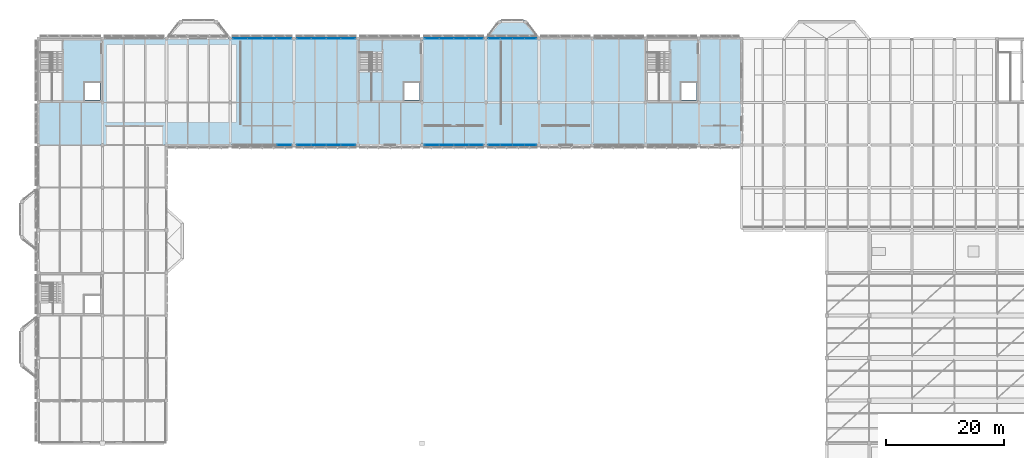
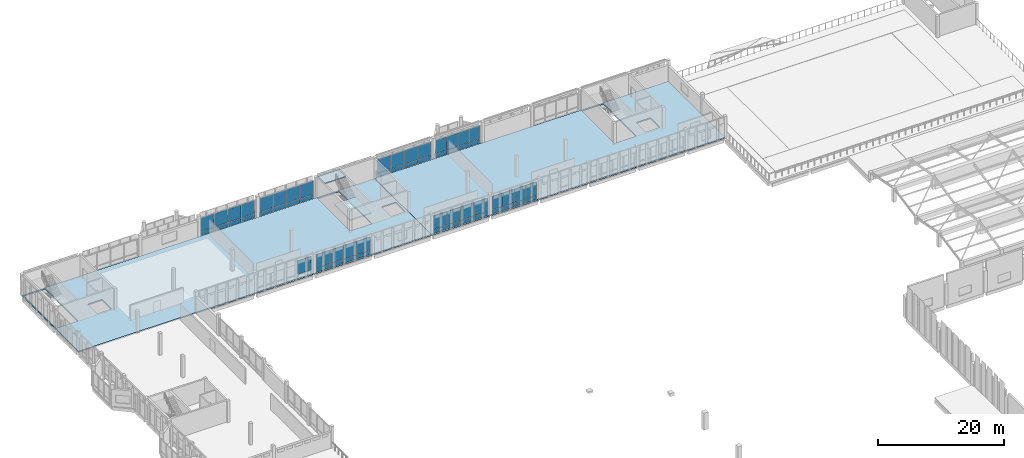
# One storey, part 51 of 72: 57 plates, 5 slabs, 9 elements without a shape of their own.
"""IFC4 building model written with IfcOpenShell, lengths in metres."""

from ifc_helpers import new_model, si_unit, direction, frame, origin, origin_2d, place, context, subcontext, project, spatial, polyline, rectangle, outline, extrude, material, layer, layer_set, type_object, element, aggregate, save


model = new_model("IFC4")

# Units and contexts
model_context = context("Model", 3, precision=1e-05, world=origin(), true_north=direction((0.0, 1.0)))
body_context = subcontext(model_context, "Body", "Model", "MODEL_VIEW")
ifc_project = project(units=[si_unit("LENGTHUNIT", "METRE"), si_unit("AREAUNIT", "SQUARE_METRE"), si_unit("VOLUMEUNIT", "CUBIC_METRE"), si_unit("PLANEANGLEUNIT", "RADIAN"), si_unit("MASSUNIT", "GRAM", prefix="KILO")], contexts=[model_context])

# Site, building, storey
site_placement = place(None, origin())
site = spatial("IfcSite", under=ifc_project, at=site_placement, CompositionType="ELEMENT")
building_placement = place(site_placement, origin())
building = spatial("IfcBuilding", under=site, at=building_placement, Name="Lusvemor Sports Hall", CompositionType="ELEMENT")
storey_placement = place(building_placement, frame((0.0, 0.0, 15.0)))
storey = spatial("IfcBuildingStorey", under=building, at=storey_placement, Name="L03", CompositionType="ELEMENT", Elevation=15.0)

# Curtain wall, plates
ifc_material_1 = material(Name="Thermally broken bronze-anodized aluminium", Category="aluminium")
curtain_wall_type = type_object("IfcCurtainWallType", Name="CW_WING_B", PredefinedType="NOTDEFINED", material=ifc_material_1)
curtain_wall_1_placement = place(storey_placement, origin())
curtain_wall_1 = element("IfcCurtainWall", 1, at=curtain_wall_1_placement, inside=storey, type_object=curtain_wall_type, Name="Curtain Wall CW-L03-N-1-3", PredefinedType="NOTDEFINED")
ifc_material_2 = material(Name="Solar-control laminated double glazing", Category="glass")
ifc_layer_1 = layer(ifc_material_2, 0.028076171875)
ifc_layer_set_1 = layer_set([ifc_layer_1], Name="Solar-control laminated double glazing")
plate_type_1 = type_object("IfcPlateType", Name="CW_PAN_GLZ_28", PredefinedType="CURTAIN_PANEL", material=ifc_layer_set_1)
plate_1_placement = place(storey_placement, frame((34.081298828125, 115.199951171875, 0.8798828125), z_axis=(0.0, 0.0, 1.0), x_axis=(1.0, 0.0, 0.0)))
plate_1 = element("IfcPlate", 2, at=plate_1_placement, type_object=plate_type_1, Name="CW02 panel 1.2", PredefinedType="CURTAIN_PANEL", context=body_context, shape_type="SweptSolid", body=[
    extrude(rectangle(XDim=2.392578125, YDim=0.028076171875, at=origin_2d()), origin(), (0.0, 0.0, 1.0), 2.580078125),
])
plate_2_placement = place(storey_placement, frame((36.554931640625, 115.199951171875, 0.8798828125), z_axis=(0.0, 0.0, 1.0), x_axis=(1.0, 0.0, 0.0)))
plate_2 = element("IfcPlate", 3, at=plate_2_placement, type_object=plate_type_1, Name="CW02 panel 2.2", PredefinedType="CURTAIN_PANEL", context=body_context, shape_type="SweptSolid", body=[
    extrude(rectangle(XDim=2.425048828125, YDim=0.028076171875, at=origin_2d()), origin(), (0.0, 0.0, 1.0), 2.580078125),
])
plate_3_placement = place(storey_placement, frame((39.044921875, 115.199951171875, 0.8798828125), z_axis=(0.0, 0.0, 1.0), x_axis=(1.0, 0.0, 0.0)))
plate_3 = element("IfcPlate", 4, at=plate_3_placement, type_object=plate_type_1, Name="CW02 panel 3.2", PredefinedType="CURTAIN_PANEL", context=body_context, shape_type="SweptSolid", body=[
    extrude(rectangle(XDim=2.425048828125, YDim=0.028076171875, at=origin_2d()), origin(), (0.0, 0.0, 1.0), 2.580078125),
])
plate_4_placement = place(storey_placement, frame((41.518798828125, 115.199951171875, 0.8798828125), z_axis=(0.0, 0.0, 1.0), x_axis=(1.0, 0.0, 0.0)))
plate_4 = element("IfcPlate", 5, at=plate_4_placement, type_object=plate_type_1, Name="CW02 panel 4.2", PredefinedType="CURTAIN_PANEL", context=body_context, shape_type="SweptSolid", body=[
    extrude(rectangle(XDim=2.392578125, YDim=0.028076171875, at=origin_2d()), origin(), (0.0, 0.0, 1.0), 2.580078125),
])

curtain_wall_2_placement = place(storey_placement, origin())
curtain_wall_2 = element("IfcCurtainWall", 6, at=curtain_wall_2_placement, inside=storey, type_object=curtain_wall_type, Name="Curtain Wall CW-L03-N-1-4", PredefinedType="NOTDEFINED")
plate_5_placement = place(storey_placement, frame((44.88134765625, 115.199951171875, 0.8798828125), z_axis=(0.0, 0.0, 1.0), x_axis=(1.0, 0.0, 0.0)))
plate_5 = element("IfcPlate", 7, at=plate_5_placement, type_object=plate_type_1, Name="CW02 panel 1.2", PredefinedType="CURTAIN_PANEL", context=body_context, shape_type="SweptSolid", body=[
    extrude(rectangle(XDim=2.392578125, YDim=0.028076171875, at=origin_2d()), origin(), (0.0, 0.0, 1.0), 2.580078125),
])
plate_6_placement = place(storey_placement, frame((47.35498046875, 115.199951171875, 0.8798828125), z_axis=(0.0, 0.0, 1.0), x_axis=(1.0, 0.0, 0.0)))
plate_6 = element("IfcPlate", 8, at=plate_6_placement, type_object=plate_type_1, Name="CW02 panel 2.2", PredefinedType="CURTAIN_PANEL", context=body_context, shape_type="SweptSolid", body=[
    extrude(rectangle(XDim=2.425048828125, YDim=0.028076171875, at=origin_2d()), origin(), (0.0, 0.0, 1.0), 2.580078125),
])
plate_7_placement = place(storey_placement, frame((49.844970703125, 115.199951171875, 0.8798828125), z_axis=(0.0, 0.0, 1.0), x_axis=(1.0, 0.0, 0.0)))
plate_7 = element("IfcPlate", 9, at=plate_7_placement, type_object=plate_type_1, Name="CW02 panel 3.2", PredefinedType="CURTAIN_PANEL", context=body_context, shape_type="SweptSolid", body=[
    extrude(rectangle(XDim=2.425048828125, YDim=0.028076171875, at=origin_2d()), origin(), (0.0, 0.0, 1.0), 2.580078125),
])
plate_8_placement = place(storey_placement, frame((52.31884765625, 115.199951171875, 0.8798828125), z_axis=(0.0, 0.0, 1.0), x_axis=(1.0, 0.0, 0.0)))
plate_8 = element("IfcPlate", 10, at=plate_8_placement, type_object=plate_type_1, Name="CW02 panel 4.2", PredefinedType="CURTAIN_PANEL", context=body_context, shape_type="SweptSolid", body=[
    extrude(rectangle(XDim=2.392578125, YDim=0.028076171875, at=origin_2d()), origin(), (0.0, 0.0, 1.0), 2.580078125),
])

curtain_wall_3_placement = place(storey_placement, origin())
curtain_wall_3 = element("IfcCurtainWall", 11, at=curtain_wall_3_placement, inside=storey, type_object=curtain_wall_type, Name="Curtain Wall CW-L03-N-1-6", PredefinedType="NOTDEFINED")
plate_9_placement = place(storey_placement, frame((66.481201171875, 115.199951171875, 0.8798828125), z_axis=(0.0, 0.0, 1.0), x_axis=(1.0, 0.0, 0.0)))
plate_9 = element("IfcPlate", 12, at=plate_9_placement, type_object=plate_type_1, Name="CW02 panel 1.2", PredefinedType="CURTAIN_PANEL", context=body_context, shape_type="SweptSolid", body=[
    extrude(rectangle(XDim=2.392578125, YDim=0.028076171875, at=origin_2d()), origin(), (0.0, 0.0, 1.0), 2.580078125),
])
plate_10_placement = place(storey_placement, frame((68.955078125, 115.199951171875, 0.8798828125), z_axis=(0.0, 0.0, 1.0), x_axis=(1.0, 0.0, 0.0)))
plate_10 = element("IfcPlate", 13, at=plate_10_placement, type_object=plate_type_1, Name="CW02 panel 2.2", PredefinedType="CURTAIN_PANEL", context=body_context, shape_type="SweptSolid", body=[
    extrude(rectangle(XDim=2.425048828125, YDim=0.028076171875, at=origin_2d()), origin(), (0.0, 0.0, 1.0), 2.580078125),
])
plate_11_placement = place(storey_placement, frame((71.445068359375, 115.199951171875, 0.8798828125), z_axis=(0.0, 0.0, 1.0), x_axis=(1.0, 0.0, 0.0)))
plate_11 = element("IfcPlate", 14, at=plate_11_placement, type_object=plate_type_1, Name="CW02 panel 3.2", PredefinedType="CURTAIN_PANEL", context=body_context, shape_type="SweptSolid", body=[
    extrude(rectangle(XDim=2.425048828125, YDim=0.028076171875, at=origin_2d()), origin(), (0.0, 0.0, 1.0), 2.580078125),
])
plate_12_placement = place(storey_placement, frame((73.918701171875, 115.199951171875, 0.8798828125), z_axis=(0.0, 0.0, 1.0), x_axis=(1.0, 0.0, 0.0)))
plate_12 = element("IfcPlate", 15, at=plate_12_placement, type_object=plate_type_1, Name="CW02 panel 4.2", PredefinedType="CURTAIN_PANEL", context=body_context, shape_type="SweptSolid", body=[
    extrude(rectangle(XDim=2.392578125, YDim=0.028076171875, at=origin_2d()), origin(), (0.0, 0.0, 1.0), 2.580078125),
])

curtain_wall_4_placement = place(storey_placement, origin())
curtain_wall_4 = element("IfcCurtainWall", 16, at=curtain_wall_4_placement, inside=storey, type_object=curtain_wall_type, Name="Curtain Wall CW-L03-N-1-7", PredefinedType="NOTDEFINED")
plate_13_placement = place(storey_placement, frame((77.05615234375, 115.199951171875, 0.8798828125), z_axis=(0.0, 0.0, 1.0), x_axis=(1.0, 0.0, 0.0)))
plate_13 = element("IfcPlate", 17, at=plate_13_placement, type_object=plate_type_1, Name="CW02 panel 1.2", PredefinedType="CURTAIN_PANEL", context=body_context, shape_type="SweptSolid", body=[
    extrude(rectangle(XDim=1.9423828125, YDim=0.028076171875, at=origin_2d()), origin(), (0.0, 0.0, 1.0), 2.580078125),
])
plate_14_placement = place(storey_placement, frame((79.080078125, 115.199951171875, 0.8798828125), z_axis=(0.0, 0.0, 1.0), x_axis=(1.0, 0.0, 0.0)))
plate_14 = element("IfcPlate", 18, at=plate_14_placement, type_object=plate_type_1, Name="CW02 panel 2.2", PredefinedType="CURTAIN_PANEL", context=body_context, shape_type="SweptSolid", body=[
    extrude(rectangle(XDim=1.97509765625, YDim=0.028076171875, at=origin_2d()), origin(), (0.0, 0.0, 1.0), 2.580078125),
])
plate_15_placement = place(storey_placement, frame((81.1201171875, 115.199951171875, 0.8798828125), z_axis=(0.0, 0.0, 1.0), x_axis=(1.0, 0.0, 0.0)))
plate_15 = element("IfcPlate", 19, at=plate_15_placement, type_object=plate_type_1, Name="CW02 panel 3.2", PredefinedType="CURTAIN_PANEL", context=body_context, shape_type="SweptSolid", body=[
    extrude(rectangle(XDim=1.97509765625, YDim=0.028076171875, at=origin_2d()), origin(), (0.0, 0.0, 1.0), 2.580078125),
])
plate_16_placement = place(storey_placement, frame((83.143798828125, 115.199951171875, 0.8798828125), z_axis=(0.0, 0.0, 1.0), x_axis=(1.0, 0.0, 0.0)))
plate_16 = element("IfcPlate", 20, at=plate_16_placement, type_object=plate_type_1, Name="CW02 panel 4.2", PredefinedType="CURTAIN_PANEL", context=body_context, shape_type="SweptSolid", body=[
    extrude(rectangle(XDim=1.9423828125, YDim=0.028076171875, at=origin_2d()), origin(), (0.0, 0.0, 1.0), 2.580078125),
])

# Curtain wall, plate
curtain_wall_5_placement = place(storey_placement, origin())
curtain_wall_5 = element("IfcCurtainWall", 21, at=curtain_wall_5_placement, inside=storey, type_object=curtain_wall_type, Name="Curtain Wall CW-L03-S-3-1", PredefinedType="NOTDEFINED")
plate_17_placement = place(storey_placement, frame((41.518798828125, 97.199951171875, 0.8798828125), z_axis=(0.0, 0.0, 1.0), x_axis=(-1.0, 0.0, 0.0)))
plate_17 = element("IfcPlate", 22, at=plate_17_placement, type_object=plate_type_1, Name="CW02 panel 1.2", PredefinedType="CURTAIN_PANEL", context=body_context, shape_type="SweptSolid", body=[
    extrude(rectangle(XDim=2.392578125, YDim=0.028076171875, at=origin_2d()), origin(), (0.0, 0.0, 1.0), 2.580078125),
])
aggregate(curtain_wall_5, [plate_17])

# Curtain wall, plates
curtain_wall_6_placement = place(storey_placement, origin())
curtain_wall_6 = element("IfcCurtainWall", 23, at=curtain_wall_6_placement, inside=storey, type_object=curtain_wall_type, Name="Curtain Wall CW-L03-S-3-2", PredefinedType="NOTDEFINED")
plate_18_placement = place(storey_placement, frame((52.31884765625, 97.199951171875, 0.8798828125), z_axis=(0.0, 0.0, 1.0), x_axis=(-1.0, 0.0, 0.0)))
plate_18 = element("IfcPlate", 24, at=plate_18_placement, type_object=plate_type_1, Name="CW02 panel 1.2", PredefinedType="CURTAIN_PANEL", context=body_context, shape_type="SweptSolid", body=[
    extrude(rectangle(XDim=2.392578125, YDim=0.028076171875, at=origin_2d()), origin(), (0.0, 0.0, 1.0), 2.580078125),
])
plate_19_placement = place(storey_placement, frame((49.844970703125, 97.199951171875, 0.8798828125), z_axis=(0.0, 0.0, 1.0), x_axis=(-1.0, 0.0, 0.0)))
plate_19 = element("IfcPlate", 25, at=plate_19_placement, type_object=plate_type_1, Name="CW02 panel 2.2", PredefinedType="CURTAIN_PANEL", context=body_context, shape_type="SweptSolid", body=[
    extrude(rectangle(XDim=2.425048828125, YDim=0.028076171875, at=origin_2d()), origin(), (0.0, 0.0, 1.0), 2.580078125),
])
plate_20_placement = place(storey_placement, frame((47.35498046875, 97.199951171875, 0.8798828125), z_axis=(0.0, 0.0, 1.0), x_axis=(-1.0, 0.0, 0.0)))
plate_20 = element("IfcPlate", 26, at=plate_20_placement, type_object=plate_type_1, Name="CW02 panel 3.2", PredefinedType="CURTAIN_PANEL", context=body_context, shape_type="SweptSolid", body=[
    extrude(rectangle(XDim=2.425048828125, YDim=0.028076171875, at=origin_2d()), origin(), (0.0, 0.0, 1.0), 2.580078125),
])
plate_21_placement = place(storey_placement, frame((44.88134765625, 97.199951171875, 0.8798828125), z_axis=(0.0, 0.0, 1.0), x_axis=(-1.0, 0.0, 0.0)))
plate_21 = element("IfcPlate", 27, at=plate_21_placement, type_object=plate_type_1, Name="CW02 panel 4.2", PredefinedType="CURTAIN_PANEL", context=body_context, shape_type="SweptSolid", body=[
    extrude(rectangle(XDim=2.392578125, YDim=0.028076171875, at=origin_2d()), origin(), (0.0, 0.0, 1.0), 2.580078125),
])

curtain_wall_7_placement = place(storey_placement, origin())
curtain_wall_7 = element("IfcCurtainWall", 28, at=curtain_wall_7_placement, inside=storey, type_object=curtain_wall_type, Name="Curtain Wall CW-L03-S-3-4", PredefinedType="NOTDEFINED")
plate_22_placement = place(storey_placement, frame((73.918701171875, 97.199951171875, 0.8798828125), z_axis=(0.0, 0.0, 1.0), x_axis=(-1.0, 0.0, 0.0)))
plate_22 = element("IfcPlate", 29, at=plate_22_placement, type_object=plate_type_1, Name="CW02 panel 1.2", PredefinedType="CURTAIN_PANEL", context=body_context, shape_type="SweptSolid", body=[
    extrude(rectangle(XDim=2.392578125, YDim=0.028076171875, at=origin_2d()), origin(), (0.0, 0.0, 1.0), 2.580078125),
])
plate_23_placement = place(storey_placement, frame((71.445068359375, 97.199951171875, 0.8798828125), z_axis=(0.0, 0.0, 1.0), x_axis=(-1.0, 0.0, 0.0)))
plate_23 = element("IfcPlate", 30, at=plate_23_placement, type_object=plate_type_1, Name="CW02 panel 2.2", PredefinedType="CURTAIN_PANEL", context=body_context, shape_type="SweptSolid", body=[
    extrude(rectangle(XDim=2.425048828125, YDim=0.028076171875, at=origin_2d()), origin(), (0.0, 0.0, 1.0), 2.580078125),
])
plate_24_placement = place(storey_placement, frame((68.955078125, 97.199951171875, 0.8798828125), z_axis=(0.0, 0.0, 1.0), x_axis=(-1.0, 0.0, 0.0)))
plate_24 = element("IfcPlate", 31, at=plate_24_placement, type_object=plate_type_1, Name="CW02 panel 3.2", PredefinedType="CURTAIN_PANEL", context=body_context, shape_type="SweptSolid", body=[
    extrude(rectangle(XDim=2.425048828125, YDim=0.028076171875, at=origin_2d()), origin(), (0.0, 0.0, 1.0), 2.580078125),
])
plate_25_placement = place(storey_placement, frame((66.481201171875, 97.199951171875, 0.8798828125), z_axis=(0.0, 0.0, 1.0), x_axis=(-1.0, 0.0, 0.0)))
plate_25 = element("IfcPlate", 32, at=plate_25_placement, type_object=plate_type_1, Name="CW02 panel 4.2", PredefinedType="CURTAIN_PANEL", context=body_context, shape_type="SweptSolid", body=[
    extrude(rectangle(XDim=2.392578125, YDim=0.028076171875, at=origin_2d()), origin(), (0.0, 0.0, 1.0), 2.580078125),
])

curtain_wall_8_placement = place(storey_placement, origin())
curtain_wall_8 = element("IfcCurtainWall", 33, at=curtain_wall_8_placement, inside=storey, type_object=curtain_wall_type, Name="Curtain Wall CW-L03-S-3-5", PredefinedType="NOTDEFINED")
plate_26_placement = place(storey_placement, frame((83.143798828125, 97.199951171875, 0.8798828125), z_axis=(0.0, 0.0, 1.0), x_axis=(-1.0, 0.0, 0.0)))
plate_26 = element("IfcPlate", 34, at=plate_26_placement, type_object=plate_type_1, Name="CW02 panel 1.2", PredefinedType="CURTAIN_PANEL", context=body_context, shape_type="SweptSolid", body=[
    extrude(rectangle(XDim=1.9423828125, YDim=0.028076171875, at=origin_2d()), origin(), (0.0, 0.0, 1.0), 2.580078125),
])
plate_27_placement = place(storey_placement, frame((81.1201171875, 97.199951171875, 0.8798828125), z_axis=(0.0, 0.0, 1.0), x_axis=(-1.0, 0.0, 0.0)))
plate_27 = element("IfcPlate", 35, at=plate_27_placement, type_object=plate_type_1, Name="CW02 panel 2.2", PredefinedType="CURTAIN_PANEL", context=body_context, shape_type="SweptSolid", body=[
    extrude(rectangle(XDim=1.97509765625, YDim=0.028076171875, at=origin_2d()), origin(), (0.0, 0.0, 1.0), 2.580078125),
])
plate_28_placement = place(storey_placement, frame((79.080078125, 97.199951171875, 0.8798828125), z_axis=(0.0, 0.0, 1.0), x_axis=(-1.0, 0.0, 0.0)))
plate_28 = element("IfcPlate", 36, at=plate_28_placement, type_object=plate_type_1, Name="CW02 panel 3.2", PredefinedType="CURTAIN_PANEL", context=body_context, shape_type="SweptSolid", body=[
    extrude(rectangle(XDim=1.97509765625, YDim=0.028076171875, at=origin_2d()), origin(), (0.0, 0.0, 1.0), 2.580078125),
])
plate_29_placement = place(storey_placement, frame((77.05615234375, 97.199951171875, 0.8798828125), z_axis=(0.0, 0.0, 1.0), x_axis=(-1.0, 0.0, 0.0)))
plate_29 = element("IfcPlate", 37, at=plate_29_placement, type_object=plate_type_1, Name="CW02 panel 4.2", PredefinedType="CURTAIN_PANEL", context=body_context, shape_type="SweptSolid", body=[
    extrude(rectangle(XDim=1.9423828125, YDim=0.028076171875, at=origin_2d()), origin(), (0.0, 0.0, 1.0), 2.580078125),
])

# Plate
ifc_material_3 = material(Name="Emerald polychrome glazed ceramic cladding on Concrete C40/50 backing", Category="concrete")
ifc_layer_2 = layer(ifc_material_3, 0.048095703125)
ifc_layer_set_2 = layer_set([ifc_layer_2], Name="Emerald polychrome glazed ceramic cladding on Concrete C40/50 backing")
plate_type_2 = type_object("IfcPlateType", Name="CW_PAN_SPN_48", PredefinedType="CURTAIN_PANEL", material=ifc_layer_set_2)
plate_30_placement = place(storey_placement, frame((34.081298828125, 115.199951171875, 0.06005859375), z_axis=(0.0, 0.0, 1.0), x_axis=(1.0, 0.0, 0.0)))
plate_30 = element("IfcPlate", 38, at=plate_30_placement, type_object=plate_type_2, Name="CW02 panel 1.1", PredefinedType="CURTAIN_PANEL", context=body_context, shape_type="SweptSolid", body=[
    extrude(rectangle(XDim=2.392578125, YDim=0.048095703125, at=origin_2d()), origin(), (0.0, 0.0, 1.0), 0.760009765625),
])

plate_31_placement = place(storey_placement, frame((36.554931640625, 115.199951171875, 0.06005859375), z_axis=(0.0, 0.0, 1.0), x_axis=(1.0, 0.0, 0.0)))
plate_31 = element("IfcPlate", 39, at=plate_31_placement, type_object=plate_type_2, Name="CW02 panel 2.1", PredefinedType="CURTAIN_PANEL", context=body_context, shape_type="SweptSolid", body=[
    extrude(rectangle(XDim=2.425048828125, YDim=0.048095703125, at=origin_2d()), origin(), (0.0, 0.0, 1.0), 0.760009765625),
])

plate_32_placement = place(storey_placement, frame((39.044921875, 115.199951171875, 0.06005859375), z_axis=(0.0, 0.0, 1.0), x_axis=(1.0, 0.0, 0.0)))
plate_32 = element("IfcPlate", 40, at=plate_32_placement, type_object=plate_type_2, Name="CW02 panel 3.1", PredefinedType="CURTAIN_PANEL", context=body_context, shape_type="SweptSolid", body=[
    extrude(rectangle(XDim=2.425048828125, YDim=0.048095703125, at=origin_2d()), origin(), (0.0, 0.0, 1.0), 0.760009765625),
])

plate_33_placement = place(storey_placement, frame((41.518798828125, 115.199951171875, 0.06005859375), z_axis=(0.0, 0.0, 1.0), x_axis=(1.0, 0.0, 0.0)))
plate_33 = element("IfcPlate", 41, at=plate_33_placement, type_object=plate_type_2, Name="CW02 panel 4.1", PredefinedType="CURTAIN_PANEL", context=body_context, shape_type="SweptSolid", body=[
    extrude(rectangle(XDim=2.392578125, YDim=0.048095703125, at=origin_2d()), origin(), (0.0, 0.0, 1.0), 0.760009765625),
])

aggregate(curtain_wall_1, [plate_30, plate_1, plate_31, plate_2, plate_32, plate_3, plate_33, plate_4])

plate_34_placement = place(storey_placement, frame((44.88134765625, 115.199951171875, 0.06005859375), z_axis=(0.0, 0.0, 1.0), x_axis=(1.0, 0.0, 0.0)))
plate_34 = element("IfcPlate", 42, at=plate_34_placement, type_object=plate_type_2, Name="CW02 panel 1.1", PredefinedType="CURTAIN_PANEL", context=body_context, shape_type="SweptSolid", body=[
    extrude(rectangle(XDim=2.392578125, YDim=0.048095703125, at=origin_2d()), origin(), (0.0, 0.0, 1.0), 0.760009765625),
])

plate_35_placement = place(storey_placement, frame((47.35498046875, 115.199951171875, 0.06005859375), z_axis=(0.0, 0.0, 1.0), x_axis=(1.0, 0.0, 0.0)))
plate_35 = element("IfcPlate", 43, at=plate_35_placement, type_object=plate_type_2, Name="CW02 panel 2.1", PredefinedType="CURTAIN_PANEL", context=body_context, shape_type="SweptSolid", body=[
    extrude(rectangle(XDim=2.425048828125, YDim=0.048095703125, at=origin_2d()), origin(), (0.0, 0.0, 1.0), 0.760009765625),
])

plate_36_placement = place(storey_placement, frame((49.844970703125, 115.199951171875, 0.06005859375), z_axis=(0.0, 0.0, 1.0), x_axis=(1.0, 0.0, 0.0)))
plate_36 = element("IfcPlate", 44, at=plate_36_placement, type_object=plate_type_2, Name="CW02 panel 3.1", PredefinedType="CURTAIN_PANEL", context=body_context, shape_type="SweptSolid", body=[
    extrude(rectangle(XDim=2.425048828125, YDim=0.048095703125, at=origin_2d()), origin(), (0.0, 0.0, 1.0), 0.760009765625),
])

plate_37_placement = place(storey_placement, frame((52.31884765625, 115.199951171875, 0.06005859375), z_axis=(0.0, 0.0, 1.0), x_axis=(1.0, 0.0, 0.0)))
plate_37 = element("IfcPlate", 45, at=plate_37_placement, type_object=plate_type_2, Name="CW02 panel 4.1", PredefinedType="CURTAIN_PANEL", context=body_context, shape_type="SweptSolid", body=[
    extrude(rectangle(XDim=2.392578125, YDim=0.048095703125, at=origin_2d()), origin(), (0.0, 0.0, 1.0), 0.760009765625),
])

aggregate(curtain_wall_2, [plate_34, plate_5, plate_35, plate_6, plate_36, plate_7, plate_37, plate_8])

plate_38_placement = place(storey_placement, frame((66.481201171875, 115.199951171875, 0.06005859375), z_axis=(0.0, 0.0, 1.0), x_axis=(1.0, 0.0, 0.0)))
plate_38 = element("IfcPlate", 46, at=plate_38_placement, type_object=plate_type_2, Name="CW02 panel 1.1", PredefinedType="CURTAIN_PANEL", context=body_context, shape_type="SweptSolid", body=[
    extrude(rectangle(XDim=2.392578125, YDim=0.048095703125, at=origin_2d()), origin(), (0.0, 0.0, 1.0), 0.760009765625),
])

plate_39_placement = place(storey_placement, frame((68.955078125, 115.199951171875, 0.06005859375), z_axis=(0.0, 0.0, 1.0), x_axis=(1.0, 0.0, 0.0)))
plate_39 = element("IfcPlate", 47, at=plate_39_placement, type_object=plate_type_2, Name="CW02 panel 2.1", PredefinedType="CURTAIN_PANEL", context=body_context, shape_type="SweptSolid", body=[
    extrude(rectangle(XDim=2.425048828125, YDim=0.048095703125, at=origin_2d()), origin(), (0.0, 0.0, 1.0), 0.760009765625),
])

plate_40_placement = place(storey_placement, frame((71.445068359375, 115.199951171875, 0.06005859375), z_axis=(0.0, 0.0, 1.0), x_axis=(1.0, 0.0, 0.0)))
plate_40 = element("IfcPlate", 48, at=plate_40_placement, type_object=plate_type_2, Name="CW02 panel 3.1", PredefinedType="CURTAIN_PANEL", context=body_context, shape_type="SweptSolid", body=[
    extrude(rectangle(XDim=2.425048828125, YDim=0.048095703125, at=origin_2d()), origin(), (0.0, 0.0, 1.0), 0.760009765625),
])

plate_41_placement = place(storey_placement, frame((73.918701171875, 115.199951171875, 0.06005859375), z_axis=(0.0, 0.0, 1.0), x_axis=(1.0, 0.0, 0.0)))
plate_41 = element("IfcPlate", 49, at=plate_41_placement, type_object=plate_type_2, Name="CW02 panel 4.1", PredefinedType="CURTAIN_PANEL", context=body_context, shape_type="SweptSolid", body=[
    extrude(rectangle(XDim=2.392578125, YDim=0.048095703125, at=origin_2d()), origin(), (0.0, 0.0, 1.0), 0.760009765625),
])

aggregate(curtain_wall_3, [plate_38, plate_9, plate_39, plate_10, plate_40, plate_11, plate_41, plate_12])

plate_42_placement = place(storey_placement, frame((77.05615234375, 115.199951171875, 0.06005859375), z_axis=(0.0, 0.0, 1.0), x_axis=(1.0, 0.0, 0.0)))
plate_42 = element("IfcPlate", 50, at=plate_42_placement, type_object=plate_type_2, Name="CW02 panel 1.1", PredefinedType="CURTAIN_PANEL", context=body_context, shape_type="SweptSolid", body=[
    extrude(rectangle(XDim=1.9423828125, YDim=0.048095703125, at=origin_2d()), origin(), (0.0, 0.0, 1.0), 0.760009765625),
])

plate_43_placement = place(storey_placement, frame((79.080078125, 115.199951171875, 0.06005859375), z_axis=(0.0, 0.0, 1.0), x_axis=(1.0, 0.0, 0.0)))
plate_43 = element("IfcPlate", 51, at=plate_43_placement, type_object=plate_type_2, Name="CW02 panel 2.1", PredefinedType="CURTAIN_PANEL", context=body_context, shape_type="SweptSolid", body=[
    extrude(rectangle(XDim=1.97509765625, YDim=0.048095703125, at=origin_2d()), origin(), (0.0, 0.0, 1.0), 0.760009765625),
])

plate_44_placement = place(storey_placement, frame((81.1201171875, 115.199951171875, 0.06005859375), z_axis=(0.0, 0.0, 1.0), x_axis=(1.0, 0.0, 0.0)))
plate_44 = element("IfcPlate", 52, at=plate_44_placement, type_object=plate_type_2, Name="CW02 panel 3.1", PredefinedType="CURTAIN_PANEL", context=body_context, shape_type="SweptSolid", body=[
    extrude(rectangle(XDim=1.97509765625, YDim=0.048095703125, at=origin_2d()), origin(), (0.0, 0.0, 1.0), 0.760009765625),
])

plate_45_placement = place(storey_placement, frame((83.143798828125, 115.199951171875, 0.06005859375), z_axis=(0.0, 0.0, 1.0), x_axis=(1.0, 0.0, 0.0)))
plate_45 = element("IfcPlate", 53, at=plate_45_placement, type_object=plate_type_2, Name="CW02 panel 4.1", PredefinedType="CURTAIN_PANEL", context=body_context, shape_type="SweptSolid", body=[
    extrude(rectangle(XDim=1.9423828125, YDim=0.048095703125, at=origin_2d()), origin(), (0.0, 0.0, 1.0), 0.760009765625),
])

aggregate(curtain_wall_4, [plate_42, plate_13, plate_43, plate_14, plate_44, plate_15, plate_45, plate_16])

plate_46_placement = place(storey_placement, frame((52.31884765625, 97.199951171875, 0.06005859375), z_axis=(0.0, 0.0, 1.0), x_axis=(-1.0, 0.0, 0.0)))
plate_46 = element("IfcPlate", 54, at=plate_46_placement, type_object=plate_type_2, Name="CW02 panel 1.1", PredefinedType="CURTAIN_PANEL", context=body_context, shape_type="SweptSolid", body=[
    extrude(rectangle(XDim=2.392578125, YDim=0.048095703125, at=origin_2d()), origin(), (0.0, 0.0, 1.0), 0.760009765625),
])

plate_47_placement = place(storey_placement, frame((49.844970703125, 97.199951171875, 0.06005859375), z_axis=(0.0, 0.0, 1.0), x_axis=(-1.0, 0.0, 0.0)))
plate_47 = element("IfcPlate", 55, at=plate_47_placement, type_object=plate_type_2, Name="CW02 panel 2.1", PredefinedType="CURTAIN_PANEL", context=body_context, shape_type="SweptSolid", body=[
    extrude(rectangle(XDim=2.425048828125, YDim=0.048095703125, at=origin_2d()), origin(), (0.0, 0.0, 1.0), 0.760009765625),
])

plate_48_placement = place(storey_placement, frame((47.35498046875, 97.199951171875, 0.06005859375), z_axis=(0.0, 0.0, 1.0), x_axis=(-1.0, 0.0, 0.0)))
plate_48 = element("IfcPlate", 56, at=plate_48_placement, type_object=plate_type_2, Name="CW02 panel 3.1", PredefinedType="CURTAIN_PANEL", context=body_context, shape_type="SweptSolid", body=[
    extrude(rectangle(XDim=2.425048828125, YDim=0.048095703125, at=origin_2d()), origin(), (0.0, 0.0, 1.0), 0.760009765625),
])

plate_49_placement = place(storey_placement, frame((44.88134765625, 97.199951171875, 0.06005859375), z_axis=(0.0, 0.0, 1.0), x_axis=(-1.0, 0.0, 0.0)))
plate_49 = element("IfcPlate", 57, at=plate_49_placement, type_object=plate_type_2, Name="CW02 panel 4.1", PredefinedType="CURTAIN_PANEL", context=body_context, shape_type="SweptSolid", body=[
    extrude(rectangle(XDim=2.392578125, YDim=0.048095703125, at=origin_2d()), origin(), (0.0, 0.0, 1.0), 0.760009765625),
])

aggregate(curtain_wall_6, [plate_46, plate_18, plate_47, plate_19, plate_48, plate_20, plate_49, plate_21])

plate_50_placement = place(storey_placement, frame((73.918701171875, 97.199951171875, 0.06005859375), z_axis=(0.0, 0.0, 1.0), x_axis=(-1.0, 0.0, 0.0)))
plate_50 = element("IfcPlate", 58, at=plate_50_placement, type_object=plate_type_2, Name="CW02 panel 1.1", PredefinedType="CURTAIN_PANEL", context=body_context, shape_type="SweptSolid", body=[
    extrude(rectangle(XDim=2.392578125, YDim=0.048095703125, at=origin_2d()), origin(), (0.0, 0.0, 1.0), 0.760009765625),
])

plate_51_placement = place(storey_placement, frame((71.445068359375, 97.199951171875, 0.06005859375), z_axis=(0.0, 0.0, 1.0), x_axis=(-1.0, 0.0, 0.0)))
plate_51 = element("IfcPlate", 59, at=plate_51_placement, type_object=plate_type_2, Name="CW02 panel 2.1", PredefinedType="CURTAIN_PANEL", context=body_context, shape_type="SweptSolid", body=[
    extrude(rectangle(XDim=2.425048828125, YDim=0.048095703125, at=origin_2d()), origin(), (0.0, 0.0, 1.0), 0.760009765625),
])

plate_52_placement = place(storey_placement, frame((68.955078125, 97.199951171875, 0.06005859375), z_axis=(0.0, 0.0, 1.0), x_axis=(-1.0, 0.0, 0.0)))
plate_52 = element("IfcPlate", 60, at=plate_52_placement, type_object=plate_type_2, Name="CW02 panel 3.1", PredefinedType="CURTAIN_PANEL", context=body_context, shape_type="SweptSolid", body=[
    extrude(rectangle(XDim=2.425048828125, YDim=0.048095703125, at=origin_2d()), origin(), (0.0, 0.0, 1.0), 0.760009765625),
])

plate_53_placement = place(storey_placement, frame((66.481201171875, 97.199951171875, 0.06005859375), z_axis=(0.0, 0.0, 1.0), x_axis=(-1.0, 0.0, 0.0)))
plate_53 = element("IfcPlate", 61, at=plate_53_placement, type_object=plate_type_2, Name="CW02 panel 4.1", PredefinedType="CURTAIN_PANEL", context=body_context, shape_type="SweptSolid", body=[
    extrude(rectangle(XDim=2.392578125, YDim=0.048095703125, at=origin_2d()), origin(), (0.0, 0.0, 1.0), 0.760009765625),
])

aggregate(curtain_wall_7, [plate_50, plate_22, plate_51, plate_23, plate_52, plate_24, plate_53, plate_25])

plate_54_placement = place(storey_placement, frame((83.143798828125, 97.199951171875, 0.06005859375), z_axis=(0.0, 0.0, 1.0), x_axis=(-1.0, 0.0, 0.0)))
plate_54 = element("IfcPlate", 62, at=plate_54_placement, type_object=plate_type_2, Name="CW02 panel 1.1", PredefinedType="CURTAIN_PANEL", context=body_context, shape_type="SweptSolid", body=[
    extrude(rectangle(XDim=1.9423828125, YDim=0.048095703125, at=origin_2d()), origin(), (0.0, 0.0, 1.0), 0.760009765625),
])

plate_55_placement = place(storey_placement, frame((81.1201171875, 97.199951171875, 0.06005859375), z_axis=(0.0, 0.0, 1.0), x_axis=(-1.0, 0.0, 0.0)))
plate_55 = element("IfcPlate", 63, at=plate_55_placement, type_object=plate_type_2, Name="CW02 panel 2.1", PredefinedType="CURTAIN_PANEL", context=body_context, shape_type="SweptSolid", body=[
    extrude(rectangle(XDim=1.97509765625, YDim=0.048095703125, at=origin_2d()), origin(), (0.0, 0.0, 1.0), 0.760009765625),
])

plate_56_placement = place(storey_placement, frame((79.080078125, 97.199951171875, 0.06005859375), z_axis=(0.0, 0.0, 1.0), x_axis=(-1.0, 0.0, 0.0)))
plate_56 = element("IfcPlate", 64, at=plate_56_placement, type_object=plate_type_2, Name="CW02 panel 3.1", PredefinedType="CURTAIN_PANEL", context=body_context, shape_type="SweptSolid", body=[
    extrude(rectangle(XDim=1.97509765625, YDim=0.048095703125, at=origin_2d()), origin(), (0.0, 0.0, 1.0), 0.760009765625),
])

plate_57_placement = place(storey_placement, frame((77.05615234375, 97.199951171875, 0.06005859375), z_axis=(0.0, 0.0, 1.0), x_axis=(-1.0, 0.0, 0.0)))
plate_57 = element("IfcPlate", 65, at=plate_57_placement, type_object=plate_type_2, Name="CW02 panel 4.1", PredefinedType="CURTAIN_PANEL", context=body_context, shape_type="SweptSolid", body=[
    extrude(rectangle(XDim=1.9423828125, YDim=0.048095703125, at=origin_2d()), origin(), (0.0, 0.0, 1.0), 0.760009765625),
])

aggregate(curtain_wall_8, [plate_54, plate_26, plate_55, plate_27, plate_56, plate_28, plate_57, plate_29])

# Slabs
ifc_material_4 = material(Name="Concrete C40/50", Category="concrete")
ifc_layer_3 = layer(ifc_material_4, 0.239990234375)
ifc_layer_set_3 = layer_set([ifc_layer_3], Name="Concrete C40/50")
slab_type_1 = type_object("IfcSlabType", Name="SLAB_INT_240", PredefinedType="FLOOR", material=ifc_layer_set_3)
slab_1_placement = place(storey_placement, frame((0.0, 0.0, -0.239990234375)))
element("IfcSlab", 66, at=slab_1_placement, inside=storey, type_object=slab_type_1, Name="Slab L03 V5-NW", PredefinedType="FLOOR", context=body_context, shape_type="SweptSolid", body=[
    extrude(outline(polyline([(0.0, 97.199951171875), (64.800048828125, 97.199951171875), (64.800048828125, 115.199951171875), (0.0, 115.199951171875), (0.0, 97.199951171875)]), holes=[polyline([(0.159912109375, 104.56005859375), (4.139892578125, 104.56005859375), (4.139892578125, 115.0400390625), (0.159912109375, 115.0400390625), (0.159912109375, 104.56005859375)]), polyline([(7.800048828125, 104.800048828125), (10.39990234375, 104.800048828125), (10.39990234375, 107.800048828125), (7.800048828125, 107.800048828125), (7.800048828125, 104.800048828125)]), polyline([(54.159912109375, 104.56005859375), (58.139892578125, 104.56005859375), (58.139892578125, 115.0400390625), (54.159912109375, 115.0400390625), (54.159912109375, 104.56005859375)]), polyline([(61.800048828125, 104.800048828125), (64.39990234375, 104.800048828125), (64.39990234375, 107.800048828125), (61.800048828125, 107.800048828125), (61.800048828125, 104.800048828125)])]), origin(), (0.0, 0.0, 1.0), 0.239990234375),
])
slab_2_placement = place(storey_placement, frame((0.0, 0.0, -0.239990234375)))
element("IfcSlab", 67, at=slab_2_placement, inside=storey, type_object=slab_type_1, Name="Slab L03 V5-CN", PredefinedType="FLOOR", context=body_context, shape_type="SweptSolid", body=[
    extrude(outline(polyline([(64.800048828125, 97.199951171875), (118.800048828125, 97.199951171875), (118.800048828125, 115.199951171875), (64.800048828125, 115.199951171875), (64.800048828125, 97.199951171875)]), holes=[polyline([(102.760009765625, 104.56005859375), (106.739990234375, 104.56005859375), (106.739990234375, 115.0400390625), (102.760009765625, 115.0400390625), (102.760009765625, 104.56005859375)]), polyline([(108.60009765625, 104.800048828125), (111.199951171875, 104.800048828125), (111.199951171875, 107.800048828125), (108.60009765625, 107.800048828125), (108.60009765625, 104.800048828125)])]), origin(), (0.0, 0.0, 1.0), 0.239990234375),
])
ifc_material_5 = material(Name="Concrete C40/50", Category="concrete")
ifc_layer_4 = layer(ifc_material_5, 0.260009765625)
ifc_layer_set_4 = layer_set([ifc_layer_4], Name="Concrete C40/50")
slab_type_2 = type_object("IfcSlabType", Name="SLAB_INT_260", PredefinedType="FLOOR", material=ifc_layer_set_4)
slab_3_placement = place(storey_placement, frame((0.0, 0.0, -0.260009765625)))
element("IfcSlab", 68, at=slab_3_placement, inside=storey, type_object=slab_type_2, Name="Bow Pavilion Slab BOW-N2 (L03)", PredefinedType="FLOOR", context=body_context, shape_type="SweptSolid", body=[
    extrude(outline(polyline([(75.60009765625, 115.199951171875), (77.93994140625, 118.300048828125), (82.260009765625, 118.300048828125), (84.60009765625, 115.199951171875), (75.60009765625, 115.199951171875)])), origin(), (0.0, 0.0, 1.0), 0.260009765625),
])

# Stair, slabs
ifc_material_6 = material(Name="Concrete C40/50", Category="concrete")
stair_type = type_object("IfcStairType", Name="STAIR_CORE_420", PredefinedType="HALF_TURN_STAIR", material=ifc_material_6)
stair_placement = place(storey_placement, origin())
stair = element("IfcStair", 69, at=stair_placement, inside=storey, type_object=stair_type, Name="Escape Stair C2 (L03)", PredefinedType="HALF_TURN_STAIR")
ifc_material_7 = material(Name="Concrete C40/50", Category="concrete")
ifc_layer_5 = layer(ifc_material_7, 0.199951171875)
ifc_layer_set_5 = layer_set([ifc_layer_5], Name="Concrete C40/50")
slab_type_3 = type_object("IfcSlabType", Name="SLAB_LAND_200", PredefinedType="LANDING", material=ifc_layer_set_5)
slab_4_placement = place(storey_placement, frame((0.0, 0.0, 1.89990234375)))
slab_4 = element("IfcSlab", 70, at=slab_4_placement, type_object=slab_type_3, Name="ST02 landing 1", PredefinedType="LANDING", context=body_context, shape_type="SweptSolid", body=[
    extrude(outline(polyline([(54.179931640625, 104.580078125), (58.1201171875, 104.580078125), (58.1201171875, 109.699951171875), (54.179931640625, 109.699951171875), (54.179931640625, 104.580078125)])), origin(), (0.0, 0.0, 1.0), 0.2001953125),
])
slab_5_placement = place(storey_placement, frame((0.0, 0.0, 4.0)))
slab_5 = element("IfcSlab", 71, at=slab_5_placement, type_object=slab_type_3, Name="ST02 landing 2", PredefinedType="LANDING", context=body_context, shape_type="SweptSolid", body=[
    extrude(outline(polyline([(54.179931640625, 112.81005859375), (58.1201171875, 112.81005859375), (58.1201171875, 115.02001953125), (54.179931640625, 115.02001953125), (54.179931640625, 112.81005859375)])), origin(), (0.0, 0.0, 1.0), 0.199951171875),
])
aggregate(stair, [slab_4, slab_5])

save(model, "model.ifc")
